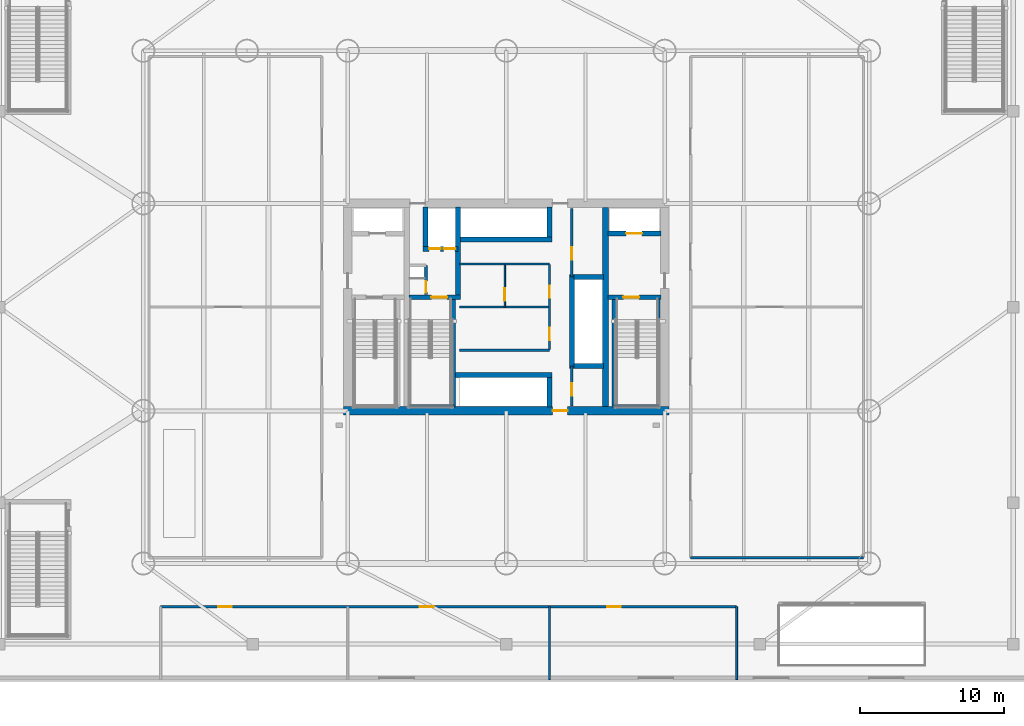
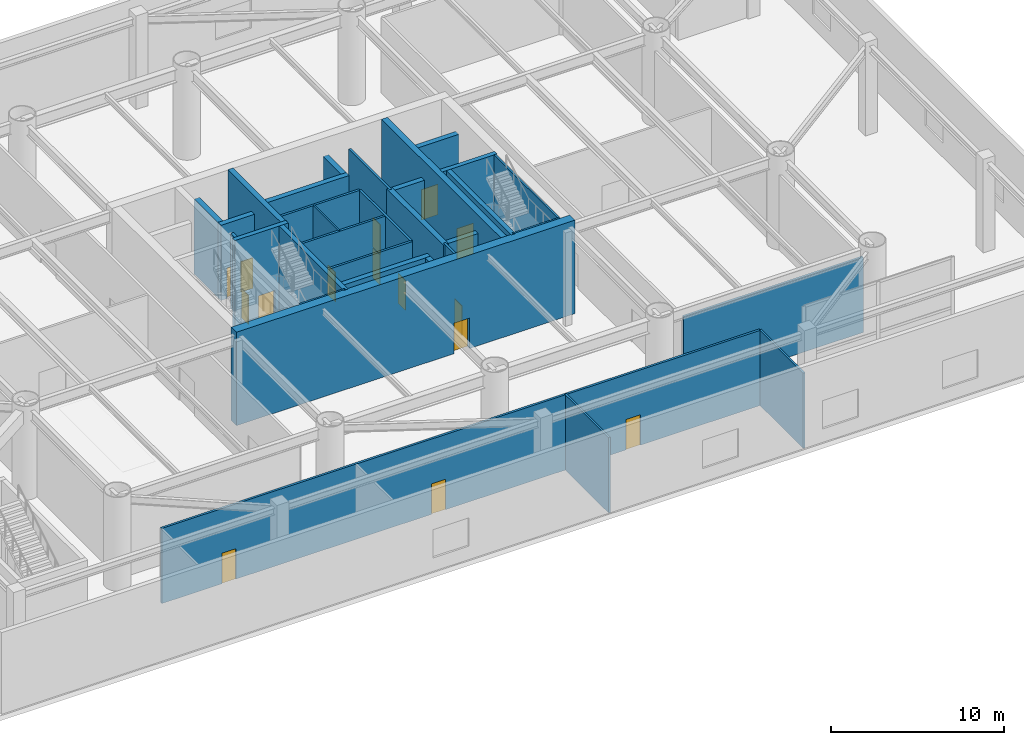
# One storey, part 7 of 16: 32 walls, 15 doors, 15 openings.
"""IFC4 building model written with IfcOpenShell, lengths in metres."""

from ifc_helpers import new_model, si_unit, direction, frame, frame_2d, origin, place, context, subcontext, project, spatial, rectangle, extrude, material, layer, layer_set, type_object, element, fill, save


model = new_model("IFC4")

# Units and contexts
model_context = context("Model", 3, precision=1e-05, world=origin(), true_north=direction((0.0, 1.0)))
body_context = subcontext(model_context, "Body", "Model", "MODEL_VIEW")
ifc_project = project(units=[si_unit("LENGTHUNIT", "METRE"), si_unit("AREAUNIT", "SQUARE_METRE"), si_unit("VOLUMEUNIT", "CUBIC_METRE"), si_unit("PLANEANGLEUNIT", "RADIAN"), si_unit("MASSUNIT", "GRAM", prefix="KILO")], contexts=[model_context])

# Site, building, storey
site_placement = place(None, origin())
site = spatial("IfcSite", under=ifc_project, at=site_placement, CompositionType="ELEMENT")
building_placement = place(site_placement, origin())
building = spatial("IfcBuilding", under=site, at=building_placement, Name="Bramvorn Convention Spire", CompositionType="ELEMENT")
storey_placement = place(building_placement, frame((0.0, 0.0, 12.0)))
storey = spatial("IfcBuildingStorey", under=building, at=storey_placement, Name="L02", CompositionType="ELEMENT", Elevation=12.0)

# Wall, opening, door
ifc_material_1 = material(Name="Concrete C60/70", Category="concrete")
ifc_layer_1 = layer(ifc_material_1, 0.60009765625)
ifc_layer_set_1 = layer_set([ifc_layer_1], Name="Concrete C60/70 - WL-CORE-600")
wall_type_1 = type_object("IfcWallType", Name="WL-CORE-600", PredefinedType="SHEAR", material=ifc_layer_set_1)
wall_1_placement = place(storey_placement, frame((26.699951171875, 18.800048828125, 0.0), z_axis=(0.0, 0.0, 1.0), x_axis=(1.0, 0.0, 0.0)))
wall_1 = element("IfcWall", 1, at=wall_1_placement, inside=storey, type_object=wall_type_1, Name="L02 South RC core shear wall", PredefinedType="SHEAR", context=body_context, shape_type="SweptSolid", body=[
    extrude(rectangle(XDim=22.60009765625, YDim=0.60009765625, at=frame_2d((11.300048828125, 0.0))), origin(), (0.0, 0.0, 1.0), 6.60009765625),
])
opening_1_placement = place(wall_1_placement, frame((14.52001953125, 0.0, 0.0)))
opening_1 = element("IfcOpeningElement", 2, at=opening_1_placement, cuts=wall_1, Name="Opening DL-105", PredefinedType="OPENING", context=body_context, shape_type="SweptSolid", body=[
    extrude(rectangle(XDim=1.050048828125, YDim=2.14990234375, at=frame_2d((0.52490234375, 1.074951171875))), frame((0.0, 0.31005859375, 0.0), z_axis=(0.0, -1.0, 0.0), x_axis=(1.0, 0.0, 0.0)), (0.0, 0.0, 1.0), 0.6201171875),
])
ifc_material_2 = material(Name="Smoke-Sealed Fire Lobby Timber-Core Door", Category="wood")
door_type_1 = type_object("IfcDoorType", Name="DR-LOBBY-1050", OperationType="NOTDEFINED", PredefinedType="DOOR", material=ifc_material_2)
door_1_placement = place(opening_1_placement, origin())
door_1 = element("IfcDoor", 3, at=door_1_placement, inside=storey, type_object=door_type_1, Name="L02 South Lift Lobby fire door", OperationType="SINGLE_SWING_RIGHT", OverallHeight=2.14990234375, OverallWidth=1.050048828125, PredefinedType="DOOR", context=body_context, shape_type="SweptSolid", body=[
    extrude(rectangle(XDim=1.050048828125, YDim=2.14990234375, at=frame_2d((0.52490234375, 1.074951171875))), frame((0.0, 0.02490234375, 0.0), z_axis=(0.0, -1.0, 0.0), x_axis=(1.0, 0.0, 0.0)), (0.0, 0.0, 1.0), 0.050048828125),
])
fill(opening_1, door_1)

ifc_material_3 = material(Name="Concrete C50/60", Category="concrete")
ifc_layer_2 = layer(ifc_material_3, 0.35009765625)
ifc_layer_set_2 = layer_set([ifc_layer_2], Name="Concrete C50/60 - WL-CORE-INT-350")
wall_type_2 = type_object("IfcWallType", Name="WL-CORE-INT-350", PredefinedType="SHEAR", material=ifc_layer_set_2)
wall_2_placement = place(storey_placement, frame((45.080078125, 31.1201171875, 0.0), z_axis=(0.0, 0.0, 1.0), x_axis=(1.0, 0.0, 0.0)))
wall_2 = element("IfcWall", 4, at=wall_2_placement, inside=storey, type_object=wall_type_2, Name="L02 FE2 shaft front wall", PredefinedType="SHEAR", context=body_context, shape_type="SweptSolid", body=[
    extrude(rectangle(XDim=3.669921875, YDim=0.35009765625, at=frame_2d((1.8349609375, 0.0))), origin(), (0.0, 0.0, 1.0), 5.31005859375),
])
opening_2_placement = place(wall_2_placement, frame((1.25, 0.0, 0.0)))
opening_2 = element("IfcOpeningElement", 5, at=opening_2_placement, cuts=wall_2, Name="Opening LD-110", PredefinedType="OPENING", context=body_context, shape_type="SweptSolid", body=[
    extrude(rectangle(XDim=1.10009765625, YDim=2.14990234375, at=frame_2d((0.550048828125, 1.074951171875))), frame((0.0, 0.18505859375, 0.0), z_axis=(0.0, -1.0, 0.0), x_axis=(1.0, 0.0, 0.0)), (0.0, 0.0, 1.0), 0.3701171875),
])
ifc_material_4 = material(Name="Firefighting & Service Lift Sliding Landing Door", Category="steel")
door_type_2 = type_object("IfcDoorType", Name="DR-LIFT-LD-1100", OperationType="NOTDEFINED", PredefinedType="DOOR", material=ifc_material_4)
door_2_placement = place(opening_2_placement, origin())
door_2 = element("IfcDoor", 6, at=door_2_placement, inside=storey, type_object=door_type_2, Name="L02 Lift FE2 Sliding Landing Door", OperationType="SLIDING_TO_LEFT", OverallHeight=2.14990234375, OverallWidth=1.10009765625, PredefinedType="DOOR", context=body_context, shape_type="SweptSolid", body=[
    extrude(rectangle(XDim=1.10009765625, YDim=2.14990234375, at=frame_2d((0.550048828125, 1.074951171875))), frame((0.0, 0.02490234375, 0.0), z_axis=(0.0, -1.0, 0.0), x_axis=(1.0, 0.0, 0.0)), (0.0, 0.0, 1.0), 0.050048828125),
])
fill(opening_2, door_2)

# Wall
wall_3_placement = place(storey_placement, frame((34.639892578125, 26.68994140625, 0.0), z_axis=(0.0, 0.0, 1.0), x_axis=(0.0, 1.0, 0.0)))
element("IfcWall", 7, at=wall_3_placement, inside=storey, type_object=wall_type_2, Name="L02 SV east core shaft wall", PredefinedType="SHEAR", context=body_context, shape_type="SweptSolid", body=[
    extrude(rectangle(XDim=6.260009765625, YDim=0.35009765625, at=frame_2d((3.1298828125, 0.0))), origin(), (0.0, 0.0, 1.0), 6.60009765625),
])

# Wall, openings, doors
wall_4_placement = place(storey_placement, frame((32.22998046875, 30.050048828125, 0.0), z_axis=(0.0, 0.0, 1.0), x_axis=(1.0, 0.0, 0.0)))
wall_4 = element("IfcWall", 8, at=wall_4_placement, inside=storey, type_object=wall_type_2, Name="L02 SV1/SV2 shaft front wall", PredefinedType="SHEAR", context=body_context, shape_type="SweptSolid", body=[
    extrude(rectangle(XDim=2.409912109375, YDim=0.35009765625, at=frame_2d((1.205078125, 0.0))), origin(), (0.0, 0.0, 1.0), 5.31005859375),
])
opening_3_placement = place(wall_4_placement, frame((0.419921875, 0.0, 0.0)))
opening_3 = element("IfcOpeningElement", 9, at=opening_3_placement, cuts=wall_4, Name="Opening LD-080", PredefinedType="OPENING", context=body_context, shape_type="SweptSolid", body=[
    extrude(rectangle(XDim=0.800048828125, YDim=2.14990234375, at=frame_2d((0.39990234375, 1.074951171875))), frame((0.0, 0.18505859375, 0.0), z_axis=(0.0, -1.0, 0.0), x_axis=(1.0, 0.0, 0.0)), (0.0, 0.0, 1.0), 0.3701171875),
])
opening_4_placement = place(wall_4_placement, frame((1.419921875, 0.0, 0.0)))
opening_4 = element("IfcOpeningElement", 10, at=opening_4_placement, cuts=wall_4, Name="Opening LD-080", PredefinedType="OPENING", context=body_context, shape_type="SweptSolid", body=[
    extrude(rectangle(XDim=0.800048828125, YDim=2.14990234375, at=frame_2d((0.39990234375, 1.074951171875))), frame((0.0, 0.18505859375, 0.0), z_axis=(0.0, -1.0, 0.0), x_axis=(1.0, 0.0, 0.0)), (0.0, 0.0, 1.0), 0.3701171875),
])
ifc_material_5 = material(Name="Service Lift Bi-Parting Landing Door", Category="steel")
door_type_3 = type_object("IfcDoorType", Name="DR-LIFT-LD-800", OperationType="NOTDEFINED", PredefinedType="DOOR", material=ifc_material_5)
door_3_placement = place(opening_3_placement, origin())
door_3 = element("IfcDoor", 11, at=door_3_placement, inside=storey, type_object=door_type_3, Name="L02 Lift SV1 Sliding Landing Door", OperationType="SLIDING_TO_LEFT", OverallHeight=2.14990234375, OverallWidth=0.800048828125, PredefinedType="DOOR", context=body_context, shape_type="SweptSolid", body=[
    extrude(rectangle(XDim=0.800048828125, YDim=2.14990234375, at=frame_2d((0.39990234375, 1.074951171875))), frame((0.0, 0.02490234375, 0.0), z_axis=(0.0, -1.0, 0.0), x_axis=(1.0, 0.0, 0.0)), (0.0, 0.0, 1.0), 0.050048828125),
])
fill(opening_3, door_3)
door_4_placement = place(opening_4_placement, origin())
door_4 = element("IfcDoor", 12, at=door_4_placement, inside=storey, type_object=door_type_3, Name="L02 Lift SV2 Sliding Landing Door", OperationType="SLIDING_TO_LEFT", OverallHeight=2.14990234375, OverallWidth=0.800048828125, PredefinedType="DOOR", context=body_context, shape_type="SweptSolid", body=[
    extrude(rectangle(XDim=0.800048828125, YDim=2.14990234375, at=frame_2d((0.39990234375, 1.074951171875))), frame((0.0, 0.02490234375, 0.0), z_axis=(0.0, -1.0, 0.0), x_axis=(1.0, 0.0, 0.0)), (0.0, 0.0, 1.0), 0.050048828125),
])
fill(opening_4, door_4)

# Walls
wall_5_placement = place(storey_placement, frame((32.39990234375, 30.219970703125, 0.0), z_axis=(0.0, 0.0, 1.0), x_axis=(0.0, 1.0, 0.0)))
element("IfcWall", 13, at=wall_5_placement, inside=storey, type_object=wall_type_2, Name="L02 SV1 west hoistway wall", PredefinedType="SHEAR", context=body_context, shape_type="SweptSolid", body=[
    extrude(rectangle(XDim=2.72998046875, YDim=0.35009765625, at=frame_2d((1.364990234375, 0.0))), origin(), (0.0, 0.0, 1.0), 5.31005859375),
])
wall_6_placement = place(storey_placement, frame((42.550048828125, 21.72998046875, 0.0), z_axis=(0.0, 0.0, 1.0), x_axis=(0.0, 1.0, 0.0)))
element("IfcWall", 14, at=wall_6_placement, inside=storey, type_object=wall_type_2, Name="L02 High-rise lift bank west wall", PredefinedType="SHEAR", context=body_context, shape_type="SweptSolid", body=[
    extrude(rectangle(XDim=6.5400390625, YDim=0.35009765625, at=frame_2d((3.27001953125, 0.0))), origin(), (0.0, 0.0, 1.0), 5.31005859375),
])
for number, where, z_axis, x_axis, name in (
    (15, (42.719970703125, 21.89990234375, 0.0), (0.0, 0.0, 1.0), (1.0, 0.0, 0.0), "L02 High-rise lift bank south wall"),
    (16, (42.719970703125, 28.10009765625, 0.0), (0.0, 0.0, 1.0), (1.0, 0.0, 0.0), "L02 High-rise lift bank north wall"),
):
    element("IfcWall", number, at=place(storey_placement, frame(where, z_axis=z_axis, x_axis=x_axis)), inside=storey, type_object=wall_type_2, Name=name, PredefinedType="SHEAR", context=body_context, shape_type="SweptSolid", body=[
        extrude(rectangle(XDim=2.030029296875, YDim=0.35009765625, at=frame_2d((1.01513671875, 0.0))), origin(), (0.0, 0.0, 1.0), 5.31005859375),
    ])
wall_7_placement = place(storey_placement, frame((34.81005859375, 30.699951171875, 0.0), z_axis=(0.0, 0.0, 1.0), x_axis=(1.0, 0.0, 0.0)))
element("IfcWall", 17, at=wall_7_placement, inside=storey, type_object=wall_type_2, Name="L02 Low-rise bank south landing wall", PredefinedType="SHEAR", context=body_context, shape_type="SweptSolid", body=[
    extrude(rectangle(XDim=6.35986328125, YDim=0.35009765625, at=frame_2d((3.179931640625, 0.0))), origin(), (0.0, 0.0, 1.0), 5.31005859375),
])
wall_8_placement = place(storey_placement, frame((41.0, 30.8701171875, 0.0), z_axis=(0.0, 0.0, 1.0), x_axis=(0.0, 1.0, 0.0)))
element("IfcWall", 18, at=wall_8_placement, inside=storey, type_object=wall_type_2, Name="L02 Low-rise bank east cheek wall", PredefinedType="SHEAR", context=body_context, shape_type="SweptSolid", body=[
    extrude(rectangle(XDim=2.079833984375, YDim=0.35009765625, at=frame_2d((1.0400390625, 0.0))), origin(), (0.0, 0.0, 1.0), 5.31005859375),
])
wall_9_placement = place(storey_placement, frame((34.489990234375, 21.300048828125, 0.0), z_axis=(0.0, 0.0, 1.0), x_axis=(1.0, 0.0, 0.0)))
element("IfcWall", 19, at=wall_9_placement, inside=storey, type_object=wall_type_2, Name="L02 Mid-rise bank north landing wall", PredefinedType="SHEAR", context=body_context, shape_type="SweptSolid", body=[
    extrude(rectangle(XDim=6.679931640625, YDim=0.35009765625, at=frame_2d((3.33984375, 0.0))), origin(), (0.0, 0.0, 1.0), 5.31005859375),
])
wall_10_placement = place(storey_placement, frame((41.0, 19.050048828125, 0.0), z_axis=(0.0, 0.0, 1.0), x_axis=(0.0, 1.0, 0.0)))
element("IfcWall", 20, at=wall_10_placement, inside=storey, type_object=wall_type_2, Name="L02 Mid-rise bank east cheek wall", PredefinedType="SHEAR", context=body_context, shape_type="SweptSolid", body=[
    extrude(rectangle(XDim=2.079833984375, YDim=0.35009765625, at=frame_2d((1.0400390625, 0.0))), origin(), (0.0, 0.0, 1.0), 5.31005859375),
])
ifc_layer_3 = layer(ifc_material_1, 0.39990234375)
ifc_layer_set_3 = layer_set([ifc_layer_3], Name="Concrete C60/70 - WL-CORE-INT-400")
wall_type_3 = type_object("IfcWallType", Name="WL-CORE-INT-400", PredefinedType="SHEAR", material=ifc_layer_set_3)
wall_11_placement = place(storey_placement, frame((44.89990234375, 19.10009765625, 0.0), z_axis=(0.0, 0.0, 1.0), x_axis=(0.0, 1.0, 0.0)))
element("IfcWall", 21, at=wall_11_placement, inside=storey, type_object=wall_type_3, Name="L02 East internal core shear web", PredefinedType="SHEAR", context=body_context, shape_type="SweptSolid", body=[
    extrude(rectangle(XDim=13.7998046875, YDim=0.39990234375, at=frame_2d((6.89990234375, 0.0))), origin(), (0.0, 0.0, 1.0), 6.60009765625),
])

# Wall, opening, door
ifc_material_6 = material(Name="Lightweight En-Suite & Wet-Wall Partition", Category="gypsum")
ifc_layer_4 = layer(ifc_material_6, 0.110107421875)
ifc_layer_set_4 = layer_set([ifc_layer_4], Name="Lightweight En-Suite & Wet-Wall Partition - WL-PART-110")
wall_type_4 = type_object("IfcWallType", Name="WL-PART-110", PredefinedType="PARTITIONING", material=ifc_layer_set_4)
wall_12_placement = place(storey_placement, frame((37.89990234375, 26.0, 0.0), z_axis=(0.0, 0.0, 1.0), x_axis=(0.0, 1.0, 0.0)))
wall_12 = element("IfcWall", 22, at=wall_12_placement, inside=storey, type_object=wall_type_4, Name="L02 Core restroom subwall", PredefinedType="PARTITIONING", context=body_context, shape_type="SweptSolid", body=[
    extrude(rectangle(XDim=2.949951171875, YDim=0.110107421875, at=frame_2d((1.47509765625, 0.0))), origin(), (0.0, 0.0, 1.0), 5.31005859375),
])
opening_5_placement = place(wall_12_placement, frame((0.449951171875, 0.0, 0.0)))
opening_5 = element("IfcOpeningElement", 23, at=opening_5_placement, cuts=wall_12, Name="Opening DC-085", PredefinedType="OPENING", context=body_context, shape_type="SweptSolid", body=[
    extrude(rectangle(XDim=0.85009765625, YDim=2.10009765625, at=frame_2d((0.425048828125, 1.050048828125))), frame((0.0, 0.06494140625, 0.0), z_axis=(0.0, -1.0, 0.0), x_axis=(1.0, 0.0, 0.0)), (0.0, 0.0, 1.0), 0.130126953125),
])
ifc_material_7 = material(Name="Fire-Rated Core Washroom & IDF Door", Category="wood")
door_type_4 = type_object("IfcDoorType", Name="DR-CORE-850", OperationType="NOTDEFINED", PredefinedType="DOOR", material=ifc_material_7)
door_5_placement = place(opening_5_placement, origin())
door_5 = element("IfcDoor", 24, at=door_5_placement, inside=storey, type_object=door_type_4, Name="L02 Core telecom store door", OperationType="SINGLE_SWING_LEFT", OverallHeight=2.10009765625, OverallWidth=0.85009765625, PredefinedType="DOOR", context=body_context, shape_type="SweptSolid", body=[
    extrude(rectangle(XDim=0.85009765625, YDim=2.10009765625, at=frame_2d((0.425048828125, 1.050048828125))), frame((0.0, 0.02490234375, 0.0), z_axis=(0.0, -1.0, 0.0), x_axis=(1.0, 0.0, 0.0)), (0.0, 0.0, 1.0), 0.050048828125),
])
fill(opening_5, door_5)

# Walls
ifc_material_8 = material(Name="Metal-Stud Demountable Office Partition", Category="gypsum")
ifc_layer_5 = layer(ifc_material_8, 0.1298828125)
ifc_layer_set_5 = layer_set([ifc_layer_5], Name="Metal-Stud Demountable Office Partition - WL-PART-130")
wall_type_5 = type_object("IfcWallType", Name="WL-PART-130", PredefinedType="PARTITIONING", material=ifc_layer_set_5)
for number, where, z_axis, x_axis, name in (
    (25, (41.0, 0.139892578125, 0.0), (0.0, 0.0, 1.0), (0.0, 1.0, 0.0), "L02 South divider 41"),
    (26, (54.0, 0.139892578125, 0.0), (0.0, 0.0, 1.0), (0.0, 1.0, 0.0), "L02 South divider 54"),
):
    element("IfcWall", number, at=place(storey_placement, frame(where, z_axis=z_axis, x_axis=x_axis)), inside=storey, type_object=wall_type_5, Name=name, PredefinedType="PARTITIONING", context=body_context, shape_type="SweptSolid", body=[
        extrude(rectangle(XDim=5.06005859375, YDim=0.1298828125, at=frame_2d((2.530029296875, 0.0))), origin(), (0.0, 0.0, 1.0), 5.31005859375),
    ])
ifc_material_9 = material(Name="Acoustic Metal-Stud Tenant/Corridor Partition", Category="gypsum")
ifc_layer_6 = layer(ifc_material_9, 0.14990234375)
ifc_layer_set_6 = layer_set([ifc_layer_6], Name="Acoustic Metal-Stud Tenant/Corridor Partition - WL-PART-150")
wall_type_6 = type_object("IfcWallType", Name="WL-PART-150", PredefinedType="PARTITIONING", material=ifc_layer_set_6)
for number, where, z_axis, x_axis, name in (
    (27, (34.75, 29.0, 0.0), (0.0, 0.0, 1.0), (1.0, 0.0, 0.0), "L02 Low-rise lift vestibule south wall"),
    (28, (34.75, 23.0, 0.0), (0.0, 0.0, 1.0), (1.0, 0.0, 0.0), "L02 Mid-rise lift vestibule north wall"),
):
    element("IfcWall", number, at=place(storey_placement, frame(where, z_axis=z_axis, x_axis=x_axis)), inside=storey, type_object=wall_type_6, Name=name, PredefinedType="PARTITIONING", context=body_context, shape_type="SweptSolid", body=[
        extrude(rectangle(XDim=6.25, YDim=0.14990234375, at=frame_2d((3.125, 0.0))), origin(), (0.0, 0.0, 1.0), 5.31005859375),
    ])

# Wall, openings, doors
wall_13_placement = place(storey_placement, frame((41.0, 23.050048828125, 0.0), z_axis=(0.0, 0.0, 1.0), x_axis=(0.0, 1.0, 0.0)))
wall_13 = element("IfcWall", 29, at=wall_13_placement, inside=storey, type_object=wall_type_6, Name="L02 Core room east wall", PredefinedType="PARTITIONING", context=body_context, shape_type="SweptSolid", body=[
    extrude(rectangle(XDim=5.89990234375, YDim=0.14990234375, at=frame_2d((2.949951171875, 0.0))), origin(), (0.0, 0.0, 1.0), 5.31005859375),
])
opening_6_placement = place(wall_13_placement, frame((0.64990234375, 0.0, 0.0)))
opening_6 = element("IfcOpeningElement", 30, at=opening_6_placement, cuts=wall_13, Name="Opening DC-085", PredefinedType="OPENING", context=body_context, shape_type="SweptSolid", body=[
    extrude(rectangle(XDim=0.85009765625, YDim=2.10009765625, at=frame_2d((0.425048828125, 1.050048828125))), frame((0.0, 0.0849609375, 0.0), z_axis=(0.0, -1.0, 0.0), x_axis=(1.0, 0.0, 0.0)), (0.0, 0.0, 1.0), 0.169921875),
])
opening_7_placement = place(wall_13_placement, frame((3.60009765625, 0.0, 0.0)))
opening_7 = element("IfcOpeningElement", 31, at=opening_7_placement, cuts=wall_13, Name="Opening DC-085", PredefinedType="OPENING", context=body_context, shape_type="SweptSolid", body=[
    extrude(rectangle(XDim=0.85009765625, YDim=2.10009765625, at=frame_2d((0.425048828125, 1.050048828125))), frame((0.0, 0.0849609375, 0.0), z_axis=(0.0, -1.0, 0.0), x_axis=(1.0, 0.0, 0.0)), (0.0, 0.0, 1.0), 0.169921875),
])
door_6_placement = place(opening_6_placement, origin())
door_6 = element("IfcDoor", 32, at=door_6_placement, inside=storey, type_object=door_type_4, Name="L02 Core room 1 door", OperationType="SINGLE_SWING_LEFT", OverallHeight=2.10009765625, OverallWidth=0.85009765625, PredefinedType="DOOR", context=body_context, shape_type="SweptSolid", body=[
    extrude(rectangle(XDim=0.85009765625, YDim=2.10009765625, at=frame_2d((0.425048828125, 1.050048828125))), frame((0.0, 0.02490234375, 0.0), z_axis=(0.0, -1.0, 0.0), x_axis=(1.0, 0.0, 0.0)), (0.0, 0.0, 1.0), 0.050048828125),
])
fill(opening_6, door_6)
door_7_placement = place(opening_7_placement, origin())
door_7 = element("IfcDoor", 33, at=door_7_placement, inside=storey, type_object=door_type_4, Name="L02 Core room 2 door", OperationType="SINGLE_SWING_LEFT", OverallHeight=2.10009765625, OverallWidth=0.85009765625, PredefinedType="DOOR", context=body_context, shape_type="SweptSolid", body=[
    extrude(rectangle(XDim=0.85009765625, YDim=2.10009765625, at=frame_2d((0.425048828125, 1.050048828125))), frame((0.0, 0.02490234375, 0.0), z_axis=(0.0, -1.0, 0.0), x_axis=(1.0, 0.0, 0.0)), (0.0, 0.0, 1.0), 0.050048828125),
])
fill(opening_7, door_7)

# Wall
wall_14_placement = place(storey_placement, frame((34.75, 26.0, 0.0), z_axis=(0.0, 0.0, 1.0), x_axis=(1.0, 0.0, 0.0)))
element("IfcWall", 34, at=wall_14_placement, inside=storey, type_object=wall_type_6, Name="L02 Core room divider", PredefinedType="PARTITIONING", context=body_context, shape_type="SweptSolid", body=[
    extrude(rectangle(XDim=6.25, YDim=0.14990234375, at=frame_2d((3.125, 0.0))), origin(), (0.0, 0.0, 1.0), 5.31005859375),
])

# Wall, opening, door
wall_15_placement = place(storey_placement, frame((42.550048828125, 28.10009765625, 0.0), z_axis=(0.0, 0.0, 1.0), x_axis=(0.0, 1.0, 0.0)))
wall_15 = element("IfcWall", 35, at=wall_15_placement, inside=storey, type_object=wall_type_6, Name="L02 Core NE store wall", PredefinedType="PARTITIONING", context=body_context, shape_type="SweptSolid", body=[
    extrude(rectangle(XDim=4.75, YDim=0.14990234375, at=frame_2d((2.375, 0.0))), origin(), (0.0, 0.0, 1.0), 5.31005859375),
])
opening_8_placement = place(wall_15_placement, frame((1.199951171875, 0.0, 0.0)))
opening_8 = element("IfcOpeningElement", 36, at=opening_8_placement, cuts=wall_15, Name="Opening DC-085", PredefinedType="OPENING", context=body_context, shape_type="SweptSolid", body=[
    extrude(rectangle(XDim=0.85009765625, YDim=2.10009765625, at=frame_2d((0.425048828125, 1.050048828125))), frame((0.0, 0.0849609375, 0.0), z_axis=(0.0, -1.0, 0.0), x_axis=(1.0, 0.0, 0.0)), (0.0, 0.0, 1.0), 0.169921875),
])
door_8_placement = place(opening_8_placement, origin())
door_8 = element("IfcDoor", 37, at=door_8_placement, inside=storey, type_object=door_type_4, Name="L02 Core NE store door", OperationType="SINGLE_SWING_LEFT", OverallHeight=2.10009765625, OverallWidth=0.85009765625, PredefinedType="DOOR", context=body_context, shape_type="SweptSolid", body=[
    extrude(rectangle(XDim=0.85009765625, YDim=2.10009765625, at=frame_2d((0.425048828125, 1.050048828125))), frame((0.0, 0.02490234375, 0.0), z_axis=(0.0, -1.0, 0.0), x_axis=(1.0, 0.0, 0.0)), (0.0, 0.0, 1.0), 0.050048828125),
])
fill(opening_8, door_8)

wall_16_placement = place(storey_placement, frame((42.550048828125, 19.14990234375, 0.0), z_axis=(0.0, 0.0, 1.0), x_axis=(0.0, 1.0, 0.0)))
wall_16 = element("IfcWall", 38, at=wall_16_placement, inside=storey, type_object=wall_type_6, Name="L02 Core SE riser wall", PredefinedType="PARTITIONING", context=body_context, shape_type="SweptSolid", body=[
    extrude(rectangle(XDim=2.75, YDim=0.14990234375, at=frame_2d((1.375, 0.0))), origin(), (0.0, 0.0, 1.0), 5.31005859375),
])
opening_9_placement = place(wall_16_placement, frame((0.699951171875, 0.0, 0.0)))
opening_9 = element("IfcOpeningElement", 39, at=opening_9_placement, cuts=wall_16, Name="Opening DC-085", PredefinedType="OPENING", context=body_context, shape_type="SweptSolid", body=[
    extrude(rectangle(XDim=0.85009765625, YDim=2.10009765625, at=frame_2d((0.425048828125, 1.050048828125))), frame((0.0, 0.0849609375, 0.0), z_axis=(0.0, -1.0, 0.0), x_axis=(1.0, 0.0, 0.0)), (0.0, 0.0, 1.0), 0.169921875),
])
door_9_placement = place(opening_9_placement, origin())
door_9 = element("IfcDoor", 40, at=door_9_placement, inside=storey, type_object=door_type_4, Name="L02 Core SE riser door", OperationType="SINGLE_SWING_LEFT", OverallHeight=2.10009765625, OverallWidth=0.85009765625, PredefinedType="DOOR", context=body_context, shape_type="SweptSolid", body=[
    extrude(rectangle(XDim=0.85009765625, YDim=2.10009765625, at=frame_2d((0.425048828125, 1.050048828125))), frame((0.0, 0.02490234375, 0.0), z_axis=(0.0, -1.0, 0.0), x_axis=(1.0, 0.0, 0.0)), (0.0, 0.0, 1.0), 0.050048828125),
])
fill(opening_9, door_9)

# Wall
wall_17_placement = place(storey_placement, frame((50.800048828125, 8.60009765625, 0.0), z_axis=(0.0, 0.0, 1.0), x_axis=(1.0, 0.0, 0.0)))
element("IfcWall", 41, at=wall_17_placement, inside=storey, type_object=wall_type_6, Name="L02 East Hall south wall", PredefinedType="PARTITIONING", context=body_context, shape_type="SweptSolid", body=[
    extrude(rectangle(XDim=12.0, YDim=0.14990234375, at=frame_2d((6.0, 0.0))), origin(), (0.0, 0.0, 1.0), 5.31005859375),
])

# Wall, openings, doors
wall_18_placement = place(storey_placement, frame((14.0, 5.199951171875, 0.0), z_axis=(0.0, 0.0, 1.0), x_axis=(1.0, 0.0, 0.0)))
wall_18 = element("IfcWall", 42, at=wall_18_placement, inside=storey, type_object=wall_type_6, Name="L02 South breakout wall", PredefinedType="PARTITIONING", context=body_context, shape_type="SweptSolid", body=[
    extrude(rectangle(XDim=40.0, YDim=0.14990234375, at=frame_2d((20.0, 0.0))), origin(), (0.0, 0.0, 1.0), 5.31005859375),
])
opening_10_placement = place(wall_18_placement, frame((4.0, 0.0, 0.0)))
opening_10 = element("IfcOpeningElement", 43, at=opening_10_placement, cuts=wall_18, Name="Opening DH-095", PredefinedType="OPENING", context=body_context, shape_type="SweptSolid", body=[
    extrude(rectangle(XDim=0.949951171875, YDim=2.14990234375, at=frame_2d((0.47509765625, 1.074951171875))), frame((0.0, 0.0849609375, 0.0), z_axis=(0.0, -1.0, 0.0), x_axis=(1.0, 0.0, 0.0)), (0.0, 0.0, 1.0), 0.169921875),
])
opening_11_placement = place(wall_18_placement, frame((18.0, 0.0, 0.0)))
opening_11 = element("IfcOpeningElement", 44, at=opening_11_placement, cuts=wall_18, Name="Opening DH-095", PredefinedType="OPENING", context=body_context, shape_type="SweptSolid", body=[
    extrude(rectangle(XDim=0.949951171875, YDim=2.14990234375, at=frame_2d((0.47509765625, 1.074951171875))), frame((0.0, 0.0849609375, 0.0), z_axis=(0.0, -1.0, 0.0), x_axis=(1.0, 0.0, 0.0)), (0.0, 0.0, 1.0), 0.169921875),
])
opening_12_placement = place(wall_18_placement, frame((31.0, 0.0, 0.0)))
opening_12 = element("IfcOpeningElement", 45, at=opening_12_placement, cuts=wall_18, Name="Opening DH-095", PredefinedType="OPENING", context=body_context, shape_type="SweptSolid", body=[
    extrude(rectangle(XDim=0.949951171875, YDim=2.14990234375, at=frame_2d((0.47509765625, 1.074951171875))), frame((0.0, 0.0849609375, 0.0), z_axis=(0.0, -1.0, 0.0), x_axis=(1.0, 0.0, 0.0)), (0.0, 0.0, 1.0), 0.169921875),
])
ifc_material_10 = material(Name="Solid-Core Acoustic Guestroom Entry Door", Category="wood")
door_type_5 = type_object("IfcDoorType", Name="DR-HOTEL-950", OperationType="NOTDEFINED", PredefinedType="DOOR", material=ifc_material_10)
door_10_placement = place(opening_10_placement, origin())
door_10 = element("IfcDoor", 46, at=door_10_placement, inside=storey, type_object=door_type_5, Name="L02 Breakout Suite 1 door", OperationType="SINGLE_SWING_LEFT", OverallHeight=2.14990234375, OverallWidth=0.949951171875, PredefinedType="DOOR", context=body_context, shape_type="SweptSolid", body=[
    extrude(rectangle(XDim=0.949951171875, YDim=2.14990234375, at=frame_2d((0.47509765625, 1.074951171875))), frame((0.0, 0.02490234375, 0.0), z_axis=(0.0, -1.0, 0.0), x_axis=(1.0, 0.0, 0.0)), (0.0, 0.0, 1.0), 0.050048828125),
])
fill(opening_10, door_10)
door_11_placement = place(opening_11_placement, origin())
door_11 = element("IfcDoor", 47, at=door_11_placement, inside=storey, type_object=door_type_5, Name="L02 Delegate Restrooms door", OperationType="SINGLE_SWING_LEFT", OverallHeight=2.14990234375, OverallWidth=0.949951171875, PredefinedType="DOOR", context=body_context, shape_type="SweptSolid", body=[
    extrude(rectangle(XDim=0.949951171875, YDim=2.14990234375, at=frame_2d((0.47509765625, 1.074951171875))), frame((0.0, 0.02490234375, 0.0), z_axis=(0.0, -1.0, 0.0), x_axis=(1.0, 0.0, 0.0)), (0.0, 0.0, 1.0), 0.050048828125),
])
fill(opening_11, door_11)
door_12_placement = place(opening_12_placement, origin())
door_12 = element("IfcDoor", 48, at=door_12_placement, inside=storey, type_object=door_type_5, Name="L02 Catering Kitchen door", OperationType="SINGLE_SWING_LEFT", OverallHeight=2.14990234375, OverallWidth=0.949951171875, PredefinedType="DOOR", context=body_context, shape_type="SweptSolid", body=[
    extrude(rectangle(XDim=0.949951171875, YDim=2.14990234375, at=frame_2d((0.47509765625, 1.074951171875))), frame((0.0, 0.02490234375, 0.0), z_axis=(0.0, -1.0, 0.0), x_axis=(1.0, 0.0, 0.0)), (0.0, 0.0, 1.0), 0.050048828125),
])
fill(opening_12, door_12)

# Wall, opening, door
ifc_material_11 = material(Name="Gypsum Shaftwall & Rockwool Core Partition", Category="gypsum")
ifc_layer_7 = layer(ifc_material_11, 0.199951171875)
ifc_layer_set_7 = layer_set([ifc_layer_7], Name="Gypsum Shaftwall & Rockwool Core Partition - WL-PART-200-FR")
wall_type_7 = type_object("IfcWallType", Name="WL-PART-200-FR", PredefinedType="PARTITIONING", material=ifc_layer_set_7)
wall_19_placement = place(storey_placement, frame((32.419921875, 26.860107421875, 0.0), z_axis=(0.0, 0.0, 1.0), x_axis=(0.0, 1.0, 0.0)))
wall_19 = element("IfcWall", 49, at=wall_19_placement, inside=storey, type_object=wall_type_7, Name="L02 Telecom riser east wall", PredefinedType="PARTITIONING", context=body_context, shape_type="SweptSolid", body=[
    extrude(rectangle(XDim=2.039794921875, YDim=0.199951171875, at=frame_2d((1.02001953125, 0.0))), origin(), (0.0, 0.0, 1.0), 5.31005859375),
])
opening_13_placement = place(wall_19_placement, frame((0.139892578125, 0.0, 0.0)))
opening_13 = element("IfcOpeningElement", 50, at=opening_13_placement, cuts=wall_19, Name="Opening DR-080", PredefinedType="OPENING", context=body_context, shape_type="SweptSolid", body=[
    extrude(rectangle(XDim=0.800048828125, YDim=2.050048828125, at=frame_2d((0.39990234375, 1.02490234375))), frame((0.0, 0.10986328125, 0.0), z_axis=(0.0, -1.0, 0.0), x_axis=(1.0, 0.0, 0.0)), (0.0, 0.0, 1.0), 0.219970703125),
])
ifc_material_12 = material(Name="Flush Steel Riser Access Door", Category="steel")
door_type_6 = type_object("IfcDoorType", Name="DR-RISER-800", OperationType="NOTDEFINED", PredefinedType="DOOR", material=ifc_material_12)
door_13_placement = place(opening_13_placement, origin())
door_13 = element("IfcDoor", 51, at=door_13_placement, inside=storey, type_object=door_type_6, Name="L02 Telecom riser access door", OperationType="SINGLE_SWING_RIGHT", OverallHeight=2.050048828125, OverallWidth=0.800048828125, PredefinedType="DOOR", context=body_context, shape_type="SweptSolid", body=[
    extrude(rectangle(XDim=0.800048828125, YDim=2.050048828125, at=frame_2d((0.39990234375, 1.02490234375))), frame((0.0, 0.02490234375, 0.0), z_axis=(0.0, -1.0, 0.0), x_axis=(1.0, 0.0, 0.0)), (0.0, 0.0, 1.0), 0.050048828125),
])
fill(opening_13, door_13)

ifc_layer_8 = layer(ifc_material_3, 0.300048828125)
ifc_layer_set_8 = layer_set([ifc_layer_8], Name="Concrete C50/60 - WL-POD-STAIR-300")
wall_type_8 = type_object("IfcWallType", Name="WL-POD-STAIR-300", PredefinedType="SHEAR", material=ifc_layer_set_8)
wall_20_placement = place(storey_placement, frame((45.080078125, 26.68994140625, 0.0), z_axis=(0.0, 0.0, 1.0), x_axis=(1.0, 0.0, 0.0)))
wall_20 = element("IfcWall", 52, at=wall_20_placement, inside=storey, type_object=wall_type_8, Name="L02 ST2 north fire wall", PredefinedType="SHEAR", context=body_context, shape_type="SweptSolid", body=[
    extrude(rectangle(XDim=3.669921875, YDim=0.300048828125, at=frame_2d((1.8349609375, 0.0))), origin(), (0.0, 0.0, 1.0), 6.60009765625),
])
opening_14_placement = place(wall_20_placement, frame((1.050048828125, 0.0, 0.0)))
opening_14 = element("IfcOpeningElement", 53, at=opening_14_placement, cuts=wall_20, Name="Opening DS-110", PredefinedType="OPENING", context=body_context, shape_type="SweptSolid", body=[
    extrude(rectangle(XDim=1.10009765625, YDim=2.14990234375, at=frame_2d((0.550048828125, 1.074951171875))), frame((0.0, 0.159912109375, 0.0), z_axis=(0.0, -1.0, 0.0), x_axis=(1.0, 0.0, 0.0)), (0.0, 0.0, 1.0), 0.320068359375),
])
ifc_material_13 = material(Name="Fire-Rated Hollow Steel Stairwell Door", Category="steel")
door_type_7 = type_object("IfcDoorType", Name="DR-STAIR-1100", OperationType="NOTDEFINED", PredefinedType="DOOR", material=ifc_material_13)
door_14_placement = place(opening_14_placement, origin())
door_14 = element("IfcDoor", 54, at=door_14_placement, inside=storey, type_object=door_type_7, Name="L02 Stair ST2 fire door", OperationType="SINGLE_SWING_RIGHT", OverallHeight=2.14990234375, OverallWidth=1.10009765625, PredefinedType="DOOR", context=body_context, shape_type="SweptSolid", body=[
    extrude(rectangle(XDim=1.10009765625, YDim=2.14990234375, at=frame_2d((0.550048828125, 1.074951171875))), frame((0.0, 0.02490234375, 0.0), z_axis=(0.0, -1.0, 0.0), x_axis=(1.0, 0.0, 0.0)), (0.0, 0.0, 1.0), 0.050048828125),
])
fill(opening_14, door_14)

# Walls
for number, where, z_axis, x_axis, name in (
    (55, (45.510009765625, 19.050048828125, 0.0), (0.0, 0.0, 1.0), (0.0, 1.0, 0.0), "L02 ST2 west bearing wall"),
    (56, (34.340087890625, 19.050048828125, 0.0), (0.0, 0.0, 1.0), (0.0, 1.0, 0.0), "L02 ST3 east bearing wall"),
):
    element("IfcWall", number, at=place(storey_placement, frame(where, z_axis=z_axis, x_axis=x_axis)), inside=storey, type_object=wall_type_8, Name=name, PredefinedType="SHEAR", context=body_context, shape_type="SweptSolid", body=[
        extrude(rectangle(XDim=7.5, YDim=0.300048828125, at=frame_2d((3.75, 0.0))), origin(), (0.0, 0.0, 1.0), 6.60009765625),
    ])

# Wall, opening, door
wall_21_placement = place(storey_placement, frame((31.25, 26.68994140625, 0.0), z_axis=(0.0, 0.0, 1.0), x_axis=(1.0, 0.0, 0.0)))
wall_21 = element("IfcWall", 57, at=wall_21_placement, inside=storey, type_object=wall_type_8, Name="L02 ST3 north lobby wall", PredefinedType="SHEAR", context=body_context, shape_type="SweptSolid", body=[
    extrude(rectangle(XDim=3.56005859375, YDim=0.300048828125, at=frame_2d((1.780029296875, 0.0))), origin(), (0.0, 0.0, 1.0), 6.60009765625),
])
opening_15_placement = place(wall_21_placement, frame((1.550048828125, 0.0, 0.0)))
opening_15 = element("IfcOpeningElement", 58, at=opening_15_placement, cuts=wall_21, Name="Opening DS-110", PredefinedType="OPENING", context=body_context, shape_type="SweptSolid", body=[
    extrude(rectangle(XDim=1.10009765625, YDim=2.14990234375, at=frame_2d((0.550048828125, 1.074951171875))), frame((0.0, 0.159912109375, 0.0), z_axis=(0.0, -1.0, 0.0), x_axis=(1.0, 0.0, 0.0)), (0.0, 0.0, 1.0), 0.320068359375),
])
door_15_placement = place(opening_15_placement, origin())
door_15 = element("IfcDoor", 59, at=door_15_placement, inside=storey, type_object=door_type_7, Name="L02 Stair ST3 fire door", OperationType="SINGLE_SWING_LEFT", OverallHeight=2.14990234375, OverallWidth=1.10009765625, PredefinedType="DOOR", context=body_context, shape_type="SweptSolid", body=[
    extrude(rectangle(XDim=1.10009765625, YDim=2.14990234375, at=frame_2d((0.550048828125, 1.074951171875))), frame((0.0, 0.02490234375, 0.0), z_axis=(0.0, -1.0, 0.0), x_axis=(1.0, 0.0, 0.0)), (0.0, 0.0, 1.0), 0.050048828125),
])
fill(opening_15, door_15)

# Walls
ifc_layer_9 = layer(ifc_material_3, 0.1201171875)
ifc_layer_set_9 = layer_set([ifc_layer_9], Name="Concrete C50/60 - WL-STAIR-RC-120")
wall_type_9 = type_object("IfcWallType", Name="WL-STAIR-RC-120", PredefinedType="SHEAR", material=ifc_layer_set_9)
wall_22_placement = place(storey_placement, frame((48.60498046875, 19.10009765625, 0.0), z_axis=(0.0, 0.0, 1.0), x_axis=(0.0, 1.0, 0.0)))
element("IfcWall", 60, at=wall_22_placement, inside=storey, type_object=wall_type_9, Name="L02 ST2 east bearing shear wall", PredefinedType="SHEAR", context=body_context, shape_type="SweptSolid", body=[
    extrude(rectangle(XDim=7.449951171875, YDim=0.1201171875, at=frame_2d((3.72509765625, 0.0))), origin(), (0.0, 0.0, 1.0), 6.60009765625),
])
wall_23_placement = place(storey_placement, frame((45.510009765625, 19.159912109375, 0.0), z_axis=(0.0, 0.0, 1.0), x_axis=(1.0, 0.0, 0.0)))
element("IfcWall", 61, at=wall_23_placement, inside=storey, type_object=wall_type_9, Name="L02 ST2 south bearing shear wall", PredefinedType="SHEAR", context=body_context, shape_type="SweptSolid", body=[
    extrude(rectangle(XDim=3.094970703125, YDim=0.1201171875, at=frame_2d((1.54736328125, 0.0))), origin(), (0.0, 0.0, 1.0), 6.60009765625),
])
wall_24_placement = place(storey_placement, frame((31.300048828125, 19.159912109375, 0.0), z_axis=(0.0, 0.0, 1.0), x_axis=(1.0, 0.0, 0.0)))
element("IfcWall", 62, at=wall_24_placement, inside=storey, type_object=wall_type_9, Name="L02 ST3 south bearing shear wall", PredefinedType="SHEAR", context=body_context, shape_type="SweptSolid", body=[
    extrude(rectangle(XDim=3.0400390625, YDim=0.1201171875, at=frame_2d((1.52001953125, 0.0))), origin(), (0.0, 0.0, 1.0), 6.60009765625),
])

save(model, "model.ifc")
